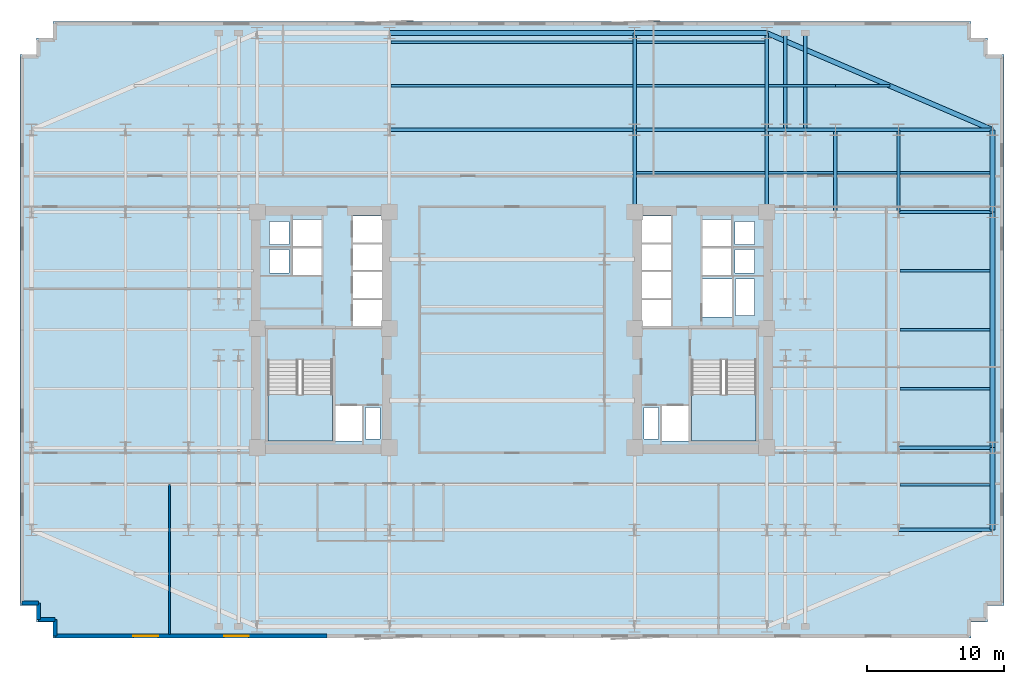
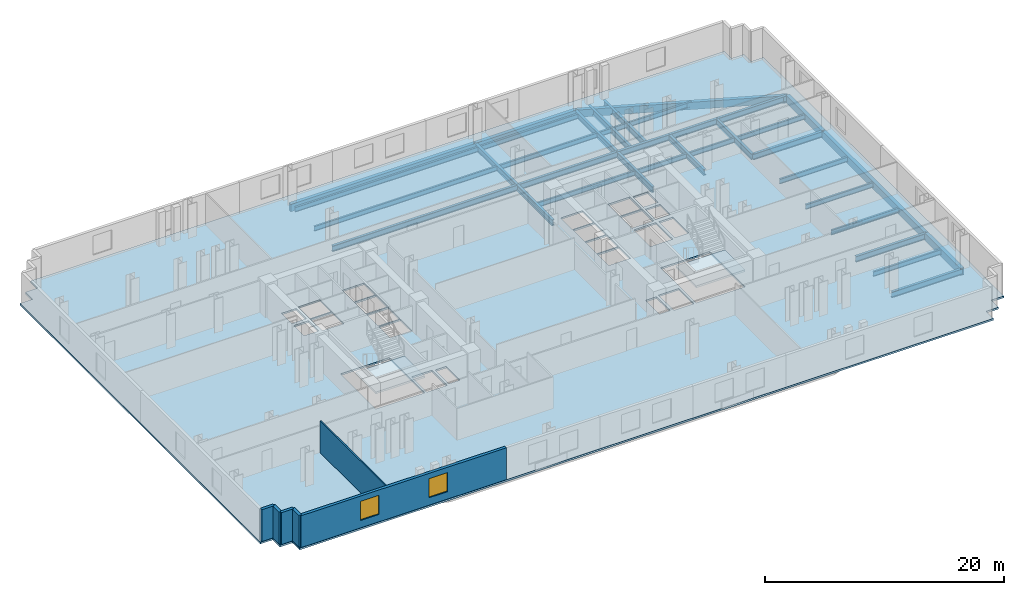
# One storey, part 3 of 10: 36 beams, 6 walls, 3 slabs, 2 windows, 2 openings, 2 elements without a shape of their own.
"""IFC4 building model written with IfcOpenShell, lengths in metres."""

from ifc_helpers import new_model, si_unit, direction, frame, frame_2d, origin, origin_2d, place, context, subcontext, project, spatial, polyline, rectangle, i_section, outline, extrude, material, layer, layer_set, material_profile, profile_set, type_object, element, fill, aggregate, save


model = new_model("IFC4")

# Units and contexts
model_context = context("Model", 3, precision=1e-05, world=origin(), true_north=direction((0.0, 1.0)))
body_context = subcontext(model_context, "Body", "Model", "MODEL_VIEW")
ifc_project = project(units=[si_unit("LENGTHUNIT", "METRE"), si_unit("AREAUNIT", "SQUARE_METRE"), si_unit("VOLUMEUNIT", "CUBIC_METRE"), si_unit("PLANEANGLEUNIT", "RADIAN"), si_unit("MASSUNIT", "GRAM", prefix="KILO")], contexts=[model_context])

# Site, building, storey
site_placement = place(None, origin())
site = spatial("IfcSite", under=ifc_project, at=site_placement, CompositionType="ELEMENT")
building_placement = place(site_placement, origin())
building = spatial("IfcBuilding", under=site, at=building_placement, Name="Velakula Bourse", CompositionType="ELEMENT")
storey_placement = place(building_placement, frame((0.0, 0.0, 34.64990234375)))
storey = spatial("IfcBuildingStorey", under=building, at=storey_placement, Name="L08", CompositionType="ELEMENT", Elevation=34.64990234375)

# Beams
ifc_material_1 = material(Name="Steel IS 2062 Grade 350 (E350)", Category="steel")
ifc_material_profile_1 = material_profile(ifc_material_1, i_section(OverallWidth=0.25, OverallDepth=0.60009765625, WebThickness=0.01171875, FlangeThickness=0.023681640625, at=origin_2d()), Name="Steel IS 2062 Grade 350 (E350)")
ifc_profile_set_1 = profile_set([ifc_material_profile_1], Name="Steel IS 2062 Grade 350 (E350)")
beam_type_1 = type_object("IfcBeamType", Name="BM-GRD-600H", PredefinedType="BEAM", material=ifc_profile_set_1)
for number, where, z_axis, x_axis, name in (
    (1, (8.949951171875, 8.60009765625, -0.47998046875), (0.0, 1.0, 0.0), (-1.0, 0.0, 0.0), "L08 Fulcrum Grid Girder FLC-ECN"),
    (2, (18.60009765625, 8.60009765625, -0.47998046875), (0.0, 1.0, 0.0), (-1.0, 0.0, 0.0), "L08 Fulcrum Grid Girder FLC-EN"),
):
    element("IfcBeam", number, at=place(storey_placement, frame(where, z_axis=z_axis, x_axis=x_axis)), inside=storey, type_object=beam_type_1, Name=name, PredefinedType="BEAM", context=body_context, shape_type="SweptSolid", body=[
        extrude(i_section(OverallWidth=0.25, OverallDepth=0.60009765625, WebThickness=0.01171875, FlangeThickness=0.023681640625, at=origin_2d()), origin(), (0.0, 0.0, 1.0), 6.0),
    ])
beam_1_placement = place(storey_placement, frame((-8.949951171875, 14.60009765625, -0.47998046875), z_axis=(1.0, 0.0, 0.0), x_axis=(0.0, 1.0, 0.0)))
element("IfcBeam", 3, at=beam_1_placement, inside=storey, type_object=beam_type_1, Name="L08 Fulcrum Grid Girder FLC-N2", PredefinedType="BEAM", context=body_context, shape_type="SweptSolid", body=[
    extrude(i_section(OverallWidth=0.25, OverallDepth=0.60009765625, WebThickness=0.01171875, FlangeThickness=0.023681640625, at=origin_2d()), origin(), (0.0, 0.0, 1.0), 17.89990234375),
])
beam_2_placement = place(storey_placement, frame((8.949951171875, 14.60009765625, -0.47998046875), z_axis=(1.0, 0.0, 0.0), x_axis=(0.0, 1.0, 0.0)))
element("IfcBeam", 4, at=beam_2_placement, inside=storey, type_object=beam_type_1, Name="L08 Fulcrum Grid Girder FLC-N3", PredefinedType="BEAM", context=body_context, shape_type="SweptSolid", body=[
    extrude(i_section(OverallWidth=0.25, OverallDepth=0.60009765625, WebThickness=0.01171875, FlangeThickness=0.023681640625, at=origin_2d()), origin(), (0.0, 0.0, 1.0), 9.650146484375),
])
beam_3_placement = place(storey_placement, frame((18.60009765625, 14.60009765625, -0.47998046875), z_axis=(1.0, 0.0, 0.0), x_axis=(0.0, 1.0, 0.0)))
element("IfcBeam", 5, at=beam_3_placement, inside=storey, type_object=beam_type_1, Name="L08 Fulcrum Grid Girder MWG-EN2", PredefinedType="BEAM", context=body_context, shape_type="SweptSolid", body=[
    extrude(i_section(OverallWidth=0.25, OverallDepth=0.60009765625, WebThickness=0.01171875, FlangeThickness=0.023681640625, at=origin_2d()), origin(), (0.0, 0.0, 1.0), 5.0),
])
beam_4_placement = place(storey_placement, frame((23.60009765625, 8.60009765625, -0.47998046875), z_axis=(0.0, 1.0, 0.0), x_axis=(-1.0, 0.0, 0.0)))
element("IfcBeam", 6, at=beam_4_placement, inside=storey, type_object=beam_type_1, Name="L08 Fulcrum Grid Girder MWG-ENS3", PredefinedType="BEAM", context=body_context, shape_type="SweptSolid", body=[
    extrude(i_section(OverallWidth=0.25, OverallDepth=0.60009765625, WebThickness=0.01171875, FlangeThickness=0.023681640625, at=origin_2d()), origin(), (0.0, 0.0, 1.0), 6.0),
])
beam_5_placement = place(storey_placement, frame((23.60009765625, 14.60009765625, -0.47998046875), z_axis=(1.0, 0.0, 0.0), x_axis=(0.0, 1.0, 0.0)))
element("IfcBeam", 7, at=beam_5_placement, inside=storey, type_object=beam_type_1, Name="L08 Fulcrum Grid Girder WNG-EN2", PredefinedType="BEAM", context=body_context, shape_type="SweptSolid", body=[
    extrude(i_section(OverallWidth=0.25, OverallDepth=0.60009765625, WebThickness=0.01171875, FlangeThickness=0.023681640625, at=origin_2d()), origin(), (0.0, 0.0, 1.0), 4.599853515625),
])
beam_6_placement = place(storey_placement, frame((28.199951171875, 8.60009765625, -0.47998046875), z_axis=(0.0, 1.0, 0.0), x_axis=(-1.0, 0.0, 0.0)))
element("IfcBeam", 8, at=beam_6_placement, inside=storey, type_object=beam_type_1, Name="L08 Fulcrum Grid Girder WNG-ENS3", PredefinedType="BEAM", context=body_context, shape_type="SweptSolid", body=[
    extrude(i_section(OverallWidth=0.25, OverallDepth=0.60009765625, WebThickness=0.01171875, FlangeThickness=0.023681640625, at=origin_2d()), origin(), (0.0, 0.0, 1.0), 6.0),
])
for number, where, z_axis, x_axis, name in (
    (9, (8.949951171875, 14.60009765625, -0.47998046875), (0.0, 1.0, 0.0), (-1.0, 0.0, 0.0), "L08 Perimeter Tie Girder N3"),
    (10, (18.60009765625, 14.60009765625, -0.47998046875), (0.0, 1.0, 0.0), (-1.0, 0.0, 0.0), "L08 Perimeter Tie Girder N4"),
):
    element("IfcBeam", number, at=place(storey_placement, frame(where, z_axis=z_axis, x_axis=x_axis)), inside=storey, type_object=beam_type_1, Name=name, PredefinedType="BEAM", context=body_context, shape_type="SweptSolid", body=[
        extrude(i_section(OverallWidth=0.25, OverallDepth=0.60009765625, WebThickness=0.01171875, FlangeThickness=0.023681640625, at=origin_2d()), origin(), (0.0, 0.0, 1.0), 7.0498046875),
    ])
for number, where, z_axis, x_axis, name in (
    (11, (28.199951171875, -14.60009765625, -0.47998046875), (1.0, 0.0, 0.0), (0.0, 1.0, 0.0), "L08 Perimeter Tie Girder E1"),
    (12, (28.199951171875, -8.60009765625, -0.47998046875), (1.0, 0.0, 0.0), (0.0, 1.0, 0.0), "L08 Perimeter Tie Girder E2"),
    (13, (28.199951171875, 8.60009765625, -0.47998046875), (1.0, 0.0, 0.0), (0.0, 1.0, 0.0), "L08 Perimeter Tie Girder E3"),
    (14, (28.199951171875, 14.60009765625, -0.47998046875), (1.0, 0.0, 0.0), (0.0, 1.0, 0.0), "L08 Perimeter Tie Girder E4"),
):
    element("IfcBeam", number, at=place(storey_placement, frame(where, z_axis=z_axis, x_axis=x_axis)), inside=storey, type_object=beam_type_1, Name=name, PredefinedType="BEAM", context=body_context, shape_type="SweptSolid", body=[
        extrude(i_section(OverallWidth=0.25, OverallDepth=0.60009765625, WebThickness=0.01171875, FlangeThickness=0.023681640625, at=origin_2d()), origin(), (0.0, 0.0, 1.0), 6.85009765625),
    ])
for number, where, z_axis, x_axis, name in (
    (15, (19.949951171875, 14.60009765625, -0.47998046875), (0.0, 1.0, 0.0), (-1.0, 0.0, 0.0), "L08 Perimeter Tie Girder P07"),
    (16, (21.39990234375, 14.60009765625, -0.47998046875), (0.0, 1.0, 0.0), (-1.0, 0.0, 0.0), "L08 Perimeter Tie Girder P08"),
):
    element("IfcBeam", number, at=place(storey_placement, frame(where, z_axis=z_axis, x_axis=x_axis)), inside=storey, type_object=beam_type_1, Name=name, PredefinedType="BEAM", context=body_context, shape_type="SweptSolid", body=[
        extrude(i_section(OverallWidth=0.25, OverallDepth=0.60009765625, WebThickness=0.01171875, FlangeThickness=0.023681640625, at=origin_2d()), origin(), (0.0, 0.0, 1.0), 7.0498046875),
    ])
ifc_material_profile_2 = material_profile(ifc_material_1, i_section(OverallWidth=0.179931640625, OverallDepth=0.5, WebThickness=0.01025390625, FlangeThickness=0.01708984375, at=origin_2d()), Name="Steel IS 2062 Grade 350 (E350)")
ifc_profile_set_2 = profile_set([ifc_material_profile_2], Name="Steel IS 2062 Grade 350 (E350)")
beam_type_2 = type_object("IfcBeamType", Name="JST-TWR-500", PredefinedType="JOIST", material=ifc_profile_set_2)
beam_7_placement = place(storey_placement, frame((28.324951171875, -11.300048828125, -0.429931640625), z_axis=(1.0, 0.0, 0.0), x_axis=(0.0, 1.0, 0.0)))
element("IfcBeam", 17, at=beam_7_placement, inside=storey, type_object=beam_type_2, Name="L08 Trading Floor Composite Joist 19", PredefinedType="JOIST", context=body_context, shape_type="SweptSolid", body=[
    extrude(i_section(OverallWidth=0.179931640625, OverallDepth=0.5, WebThickness=0.01025390625, FlangeThickness=0.01708984375, at=origin_2d()), origin(), (0.0, 0.0, 1.0), 6.550048828125),
])
beam_8_placement = place(storey_placement, frame((9.074951171875, 11.449951171875, -0.429931640625), z_axis=(1.0, 0.0, 0.0), x_axis=(0.0, 1.0, 0.0)))
element("IfcBeam", 18, at=beam_8_placement, inside=storey, type_object=beam_type_2, Name="L08 Trading Floor Composite Joist 25", PredefinedType="JOIST", context=body_context, shape_type="SweptSolid", body=[
    extrude(i_section(OverallWidth=0.179931640625, OverallDepth=0.5, WebThickness=0.01025390625, FlangeThickness=0.01708984375, at=origin_2d()), origin(), (0.0, 0.0, 1.0), 9.400146484375),
])
beam_9_placement = place(storey_placement, frame((18.72509765625, 11.449951171875, -0.429931640625), z_axis=(1.0, 0.0, 0.0), x_axis=(0.0, 1.0, 0.0)))
element("IfcBeam", 19, at=beam_9_placement, inside=storey, type_object=beam_type_2, Name="L08 Trading Floor Composite Joist 26", PredefinedType="JOIST", context=body_context, shape_type="SweptSolid", body=[
    extrude(i_section(OverallWidth=0.179931640625, OverallDepth=0.5, WebThickness=0.01025390625, FlangeThickness=0.01708984375, at=origin_2d()), origin(), (0.0, 0.0, 1.0), 4.75),
])
beam_10_placement = place(storey_placement, frame((23.72509765625, 11.449951171875, -0.429931640625), z_axis=(1.0, 0.0, 0.0), x_axis=(0.0, 1.0, 0.0)))
element("IfcBeam", 20, at=beam_10_placement, inside=storey, type_object=beam_type_2, Name="L08 Trading Floor Composite Joist 27", PredefinedType="JOIST", context=body_context, shape_type="SweptSolid", body=[
    extrude(i_section(OverallWidth=0.179931640625, OverallDepth=0.5, WebThickness=0.01025390625, FlangeThickness=0.01708984375, at=origin_2d()), origin(), (0.0, 0.0, 1.0), 4.349853515625),
])
beam_11_placement = place(storey_placement, frame((28.324951171875, 11.449951171875, -0.429931640625), z_axis=(1.0, 0.0, 0.0), x_axis=(0.0, 1.0, 0.0)))
element("IfcBeam", 21, at=beam_11_placement, inside=storey, type_object=beam_type_2, Name="L08 Trading Floor Composite Joist 28", PredefinedType="JOIST", context=body_context, shape_type="SweptSolid", body=[
    extrude(i_section(OverallWidth=0.179931640625, OverallDepth=0.5, WebThickness=0.01025390625, FlangeThickness=0.01708984375, at=origin_2d()), origin(), (0.0, 0.0, 1.0), 6.550048828125),
])
beam_12_placement = place(storey_placement, frame((-8.824951171875, 17.800048828125, -0.429931640625), z_axis=(1.0, 0.0, 0.0), x_axis=(0.0, 1.0, 0.0)))
element("IfcBeam", 22, at=beam_12_placement, inside=storey, type_object=beam_type_2, Name="L08 Trading Floor Composite Joist 32", PredefinedType="JOIST", context=body_context, shape_type="SweptSolid", body=[
    extrude(i_section(OverallWidth=0.179931640625, OverallDepth=0.5, WebThickness=0.01025390625, FlangeThickness=0.01708984375, at=origin_2d()), origin(), (0.0, 0.0, 1.0), 17.64990234375),
])
beam_13_placement = place(storey_placement, frame((9.074951171875, 17.800048828125, -0.429931640625), z_axis=(1.0, 0.0, 0.0), x_axis=(0.0, 1.0, 0.0)))
element("IfcBeam", 23, at=beam_13_placement, inside=storey, type_object=beam_type_2, Name="L08 Trading Floor Composite Joist 33", PredefinedType="JOIST", context=body_context, shape_type="SweptSolid", body=[
    extrude(i_section(OverallWidth=0.179931640625, OverallDepth=0.5, WebThickness=0.01025390625, FlangeThickness=0.01708984375, at=origin_2d()), origin(), (0.0, 0.0, 1.0), 9.400146484375),
])
beam_14_placement = place(storey_placement, frame((18.72509765625, 17.800048828125, -0.429931640625), z_axis=(1.0, 0.0, 0.0), x_axis=(0.0, 1.0, 0.0)))
element("IfcBeam", 24, at=beam_14_placement, inside=storey, type_object=beam_type_2, Name="L08 Trading Floor Composite Joist 34", PredefinedType="JOIST", context=body_context, shape_type="SweptSolid", body=[
    extrude(i_section(OverallWidth=0.179931640625, OverallDepth=0.5, WebThickness=0.01025390625, FlangeThickness=0.01708984375, at=origin_2d()), origin(), (0.0, 0.0, 1.0), 4.875),
])
beam_15_placement = place(storey_placement, frame((23.60009765625, 17.800048828125, -0.429931640625), z_axis=(1.0, 0.0, 0.0), x_axis=(0.0, 1.0, 0.0)))
element("IfcBeam", 25, at=beam_15_placement, inside=storey, type_object=beam_type_2, Name="L08 Trading Floor Composite Joist 35", PredefinedType="JOIST", context=body_context, shape_type="SweptSolid", body=[
    extrude(i_section(OverallWidth=0.179931640625, OverallDepth=0.5, WebThickness=0.01025390625, FlangeThickness=0.01708984375, at=origin_2d()), origin(), (0.0, 0.0, 1.0), 3.983154296875),
])
beam_16_placement = place(storey_placement, frame((-8.824951171875, 21.0, -0.429931640625), z_axis=(1.0, 0.0, 0.0), x_axis=(0.0, 1.0, 0.0)))
element("IfcBeam", 26, at=beam_16_placement, inside=storey, type_object=beam_type_2, Name="L08 Trading Floor Composite Joist 37", PredefinedType="JOIST", context=body_context, shape_type="SweptSolid", body=[
    extrude(i_section(OverallWidth=0.179931640625, OverallDepth=0.5, WebThickness=0.01025390625, FlangeThickness=0.01708984375, at=origin_2d()), origin(), (0.0, 0.0, 1.0), 17.64990234375),
])
beam_17_placement = place(storey_placement, frame((9.074951171875, 21.0, -0.429931640625), z_axis=(1.0, 0.0, 0.0), x_axis=(0.0, 1.0, 0.0)))
element("IfcBeam", 27, at=beam_17_placement, inside=storey, type_object=beam_type_2, Name="L08 Trading Floor Composite Joist 38", PredefinedType="JOIST", context=body_context, shape_type="SweptSolid", body=[
    extrude(i_section(OverallWidth=0.179931640625, OverallDepth=0.5, WebThickness=0.01025390625, FlangeThickness=0.01708984375, at=origin_2d()), origin(), (0.0, 0.0, 1.0), 9.400146484375),
])
for number, where, z_axis, x_axis, name in (
    (28, (28.324951171875, -4.300048828125, -0.429931640625), (1.0, 0.0, 0.0), (0.0, 1.0, 0.0), "L08 Trading Floor Composite Joist 46"),
    (29, (28.324951171875, 0.0, -0.429931640625), (1.0, 0.0, 0.0), (0.0, 1.0, 0.0), "L08 Trading Floor Composite Joist 52"),
    (30, (28.324951171875, 4.300048828125, -0.429931640625), (1.0, 0.0, 0.0), (0.0, 1.0, 0.0), "L08 Trading Floor Composite Joist 58"),
):
    element("IfcBeam", number, at=place(storey_placement, frame(where, z_axis=z_axis, x_axis=x_axis)), inside=storey, type_object=beam_type_2, Name=name, PredefinedType="JOIST", context=body_context, shape_type="SweptSolid", body=[
        extrude(i_section(OverallWidth=0.179931640625, OverallDepth=0.5, WebThickness=0.01025390625, FlangeThickness=0.01708984375, at=origin_2d()), origin(), (0.0, 0.0, 1.0), 6.550048828125),
    ])
ifc_material_2 = material(Name="Precast concrete M45 (fck 45 MPa)", Category="concrete")
ifc_material_profile_3 = material_profile(ifc_material_2, rectangle(XDim=0.35009765625, YDim=0.75, at=origin_2d()), Name="Precast concrete M45 (fck 45 MPa)")
ifc_profile_set_3 = profile_set([ifc_material_profile_3], Name="Precast concrete M45 (fck 45 MPa)")
beam_type_3 = type_object("IfcBeamType", Name="SPN-BRICK-750", PredefinedType="SPANDREL", material=ifc_profile_set_3)
beam_18_placement = place(storey_placement, frame((-8.949951171875, 21.64990234375, -0.554931640625), z_axis=(1.0, 0.0, 0.0), x_axis=(0.0, 1.0, 0.0)))
element("IfcBeam", 31, at=beam_18_placement, inside=storey, type_object=beam_type_3, Name="L08 Brick-Faced Precast Spandrel N2-N3", PredefinedType="SPANDREL", context=body_context, shape_type="SweptSolid", body=[
    extrude(rectangle(XDim=0.35009765625, YDim=0.75, at=origin_2d()), origin(), (0.0, 0.0, 1.0), 17.89990234375),
])
beam_19_placement = place(storey_placement, frame((8.949951171875, 21.64990234375, -0.554931640625), z_axis=(1.0, 0.0, 0.0), x_axis=(0.0, 1.0, 0.0)))
element("IfcBeam", 32, at=beam_19_placement, inside=storey, type_object=beam_type_3, Name="L08 Brick-Faced Precast Spandrel N3-N4", PredefinedType="SPANDREL", context=body_context, shape_type="SweptSolid", body=[
    extrude(rectangle(XDim=0.35009765625, YDim=0.75, at=origin_2d()), origin(), (0.0, 0.0, 1.0), 9.650146484375),
])
beam_20_placement = place(storey_placement, frame((35.050048828125, -14.60009765625, -0.554931640625), z_axis=(0.0, 1.0, 0.0), x_axis=(-1.0, 0.0, 0.0)))
element("IfcBeam", 33, at=beam_20_placement, inside=storey, type_object=beam_type_3, Name="L08 Brick-Faced Precast Spandrel E1-E2", PredefinedType="SPANDREL", context=body_context, shape_type="SweptSolid", body=[
    extrude(rectangle(XDim=0.35009765625, YDim=0.75, at=origin_2d()), origin(), (0.0, 0.0, 1.0), 6.0),
])
beam_21_placement = place(storey_placement, frame((35.050048828125, -8.60009765625, -0.554931640625), z_axis=(0.0, 1.0, 0.0), x_axis=(-1.0, 0.0, 0.0)))
element("IfcBeam", 34, at=beam_21_placement, inside=storey, type_object=beam_type_3, Name="L08 Brick-Faced Precast Spandrel E2-E3", PredefinedType="SPANDREL", context=body_context, shape_type="SweptSolid", body=[
    extrude(rectangle(XDim=0.35009765625, YDim=0.75, at=origin_2d()), origin(), (0.0, 0.0, 1.0), 17.2001953125),
])
beam_22_placement = place(storey_placement, frame((35.050048828125, 8.60009765625, -0.554931640625), z_axis=(0.0, 1.0, 0.0), x_axis=(-1.0, 0.0, 0.0)))
element("IfcBeam", 35, at=beam_22_placement, inside=storey, type_object=beam_type_3, Name="L08 Brick-Faced Precast Spandrel E3-E4", PredefinedType="SPANDREL", context=body_context, shape_type="SweptSolid", body=[
    extrude(rectangle(XDim=0.35009765625, YDim=0.75, at=origin_2d()), origin(), (0.0, 0.0, 1.0), 6.0),
])
beam_23_placement = place(storey_placement, frame((35.050048828125, 14.60009765625, -0.554931640625), z_axis=(-0.919148557947, 0.393911066642, 0.0), x_axis=(-0.393911066642, -0.919148557947, 0.0)))
element("IfcBeam", 36, at=beam_23_placement, inside=storey, type_object=beam_type_3, Name="L08 Brick-Faced Precast Spandrel E4-N4", PredefinedType="SPANDREL", context=body_context, shape_type="SweptSolid", body=[
    extrude(rectangle(XDim=0.35009765625, YDim=0.75, at=origin_2d()), origin(), (0.0, 0.0, 1.0), 17.89697265625),
])

# Stair, slab
ifc_material_3 = material(Name="Concrete M45 (fck 45 MPa)", Category="concrete")
stair_type = type_object("IfcStairType", Name="STR-DOG-390", PredefinedType="HALF_TURN_STAIR", material=ifc_material_3)
stair_1_placement = place(storey_placement, origin())
stair_1 = element("IfcStair", 37, at=stair_1_placement, inside=storey, type_object=stair_type, Name="L08 West Core Exit Stair ST-W1", PredefinedType="HALF_TURN_STAIR")
ifc_layer_1 = layer(ifc_material_3, 0.199951171875, Name="Concrete M45 (fck 45 MPa)", Category="concrete")
ifc_layer_set_1 = layer_set([ifc_layer_1], Name="Concrete M45 (fck 45 MPa)")
slab_type_1 = type_object("IfcSlabType", Name="SLB-STAIR-LND-200", PredefinedType="LANDING", material=ifc_layer_set_1)
slab_1_placement = place(storey_placement, frame((0.0, 0.0, 1.525146484375)))
slab_1 = element("IfcSlab", 38, at=slab_1_placement, type_object=slab_type_1, Name="ST-W1 landing 1", PredefinedType="LANDING", context=body_context, shape_type="SweptSolid", body=[
    extrude(outline(polyline([(-17.820068359375, -4.719970703125), (-17.820068359375, -8.10009765625), (-13.10009765625, -8.10009765625), (-13.10009765625, -4.719970703125), (-17.820068359375, -4.719970703125)])), origin(), (0.0, 0.0, 1.0), 0.199951171875),
])
aggregate(stair_1, [slab_1])

stair_2_placement = place(storey_placement, origin())
stair_2 = element("IfcStair", 39, at=stair_2_placement, inside=storey, type_object=stair_type, Name="L08 East Core Exit Stair ST-E1", PredefinedType="HALF_TURN_STAIR")
slab_2_placement = place(storey_placement, frame((0.0, 0.0, 1.525146484375)))
slab_2 = element("IfcSlab", 40, at=slab_2_placement, type_object=slab_type_1, Name="ST-E1 landing 1", PredefinedType="LANDING", context=body_context, shape_type="SweptSolid", body=[
    extrude(outline(polyline([(13.10009765625, -4.719970703125), (13.10009765625, -8.10009765625), (17.820068359375, -8.10009765625), (17.820068359375, -4.719970703125), (13.10009765625, -4.719970703125)])), origin(), (0.0, 0.0, 1.0), 0.199951171875),
])
aggregate(stair_2, [slab_2])

# Slab
ifc_material_4 = material(Name="Concrete M50 (fck 50 MPa)", Category="concrete")
ifc_layer_2 = layer(ifc_material_4, 0.179931640625, Name="Concrete M50 (fck 50 MPa)", Category="concrete")
ifc_layer_set_2 = layer_set([ifc_layer_2], Name="Concrete M50 (fck 50 MPa)")
slab_type_2 = type_object("IfcSlabType", Name="SLB-TWR-180", PredefinedType="FLOOR", material=ifc_layer_set_2)
slab_3_placement = place(storey_placement, frame((0.0, 0.0, -0.179931640625)))
element("IfcSlab", 41, at=slab_3_placement, inside=storey, type_object=slab_type_2, Name="L08 Suspended Structural Floor Slab", PredefinedType="FLOOR", context=body_context, shape_type="SweptSolid", body=[
    extrude(outline(polyline([(-33.5, -22.5), (33.5, -22.5), (33.5, -21.300048828125), (34.699951171875, -21.300048828125), (34.699951171875, -20.10009765625), (35.89990234375, -20.10009765625), (35.89990234375, 20.10009765625), (34.699951171875, 20.10009765625), (34.699951171875, 21.300048828125), (33.5, 21.300048828125), (33.5, 22.5), (-33.5, 22.5), (-33.5, 21.300048828125), (-34.699951171875, 21.300048828125), (-34.699951171875, 20.10009765625), (-35.89990234375, 20.10009765625), (-35.89990234375, -20.10009765625), (-34.699951171875, -20.10009765625), (-34.699951171875, -21.300048828125), (-33.5, -21.300048828125), (-33.5, -22.5)]), holes=[polyline([(-17.820068359375, -8.10009765625), (-13.10009765625, -8.10009765625), (-13.10009765625, -2.199951171875), (-17.820068359375, -2.199951171875), (-17.820068359375, -8.10009765625)]), polyline([(13.10009765625, -8.10009765625), (17.820068359375, -8.10009765625), (17.820068359375, -2.199951171875), (13.10009765625, -2.199951171875), (13.10009765625, -8.10009765625)]), polyline([(-12.89990234375, -8.10009765625), (-10.949951171875, -8.10009765625), (-10.949951171875, -5.550048828125), (-12.89990234375, -5.550048828125), (-12.89990234375, -8.10009765625)]), polyline([(10.949951171875, -8.10009765625), (12.89990234375, -8.10009765625), (12.89990234375, -5.550048828125), (10.949951171875, -5.550048828125), (10.949951171875, -8.10009765625)]), polyline([(13.89990234375, 0.919921875), (16.050048828125, 0.919921875), (16.050048828125, 3.719970703125), (13.89990234375, 3.719970703125), (13.89990234375, 0.919921875)]), polyline([(-10.679931640625, -7.97998046875), (-9.6201171875, -7.97998046875), (-9.6201171875, -5.669921875), (-10.679931640625, -5.669921875), (-10.679931640625, -7.97998046875)]), polyline([(-17.679931640625, 4.139892578125), (-16.27001953125, 4.139892578125), (-16.27001953125, 5.85009765625), (-17.679931640625, 5.85009765625), (-17.679931640625, 4.139892578125)]), polyline([(-17.679931640625, 6.2099609375), (-16.27001953125, 6.2099609375), (-16.27001953125, 7.919921875), (-17.679931640625, 7.919921875), (-17.679931640625, 6.2099609375)]), polyline([(9.6201171875, -7.97998046875), (10.679931640625, -7.97998046875), (10.679931640625, -5.669921875), (9.6201171875, -5.669921875), (9.6201171875, -7.97998046875)]), polyline([(16.27001953125, 4.139892578125), (17.679931640625, 4.139892578125), (17.679931640625, 5.85009765625), (16.27001953125, 5.85009765625), (16.27001953125, 4.139892578125)]), polyline([(16.27001953125, 6.2099609375), (17.679931640625, 6.2099609375), (17.679931640625, 7.919921875), (16.27001953125, 7.919921875), (16.27001953125, 6.2099609375)]), polyline([(16.320068359375, 1.0400390625), (17.679931640625, 1.0400390625), (17.679931640625, 3.699951171875), (16.320068359375, 3.699951171875), (16.320068359375, 1.0400390625)]), polyline([(-11.60009765625, 0.280029296875), (-9.5, 0.280029296875), (-9.5, 2.199951171875), (-11.60009765625, 2.199951171875), (-11.60009765625, 0.280029296875)]), polyline([(-11.60009765625, 2.31005859375), (-9.5, 2.31005859375), (-9.5, 4.22998046875), (-11.60009765625, 4.22998046875), (-11.60009765625, 2.31005859375)]), polyline([(-11.60009765625, 4.340087890625), (-9.5, 4.340087890625), (-9.5, 6.260009765625), (-11.60009765625, 6.260009765625), (-11.60009765625, 4.340087890625)]), polyline([(-11.60009765625, 6.3701171875), (-9.5, 6.3701171875), (-9.5, 8.2900390625), (-11.60009765625, 8.2900390625), (-11.60009765625, 6.3701171875)]), polyline([(9.5, 0.280029296875), (11.60009765625, 0.280029296875), (11.60009765625, 2.199951171875), (9.5, 2.199951171875), (9.5, 0.280029296875)]), polyline([(9.5, 2.31005859375), (11.60009765625, 2.31005859375), (11.60009765625, 4.22998046875), (9.5, 4.22998046875), (9.5, 2.31005859375)]), polyline([(9.5, 4.340087890625), (11.60009765625, 4.340087890625), (11.60009765625, 6.260009765625), (9.5, 6.260009765625), (9.5, 4.340087890625)]), polyline([(9.5, 6.3701171875), (11.60009765625, 6.3701171875), (11.60009765625, 8.2900390625), (9.5, 8.2900390625), (9.5, 6.3701171875)]), polyline([(-16.0, 4.02001953125), (-13.89990234375, 4.02001953125), (-13.89990234375, 5.969970703125), (-16.0, 5.969970703125), (-16.0, 4.02001953125)]), polyline([(-16.0, 6.090087890625), (-13.89990234375, 6.090087890625), (-13.89990234375, 8.0400390625), (-16.0, 8.0400390625), (-16.0, 6.090087890625)]), polyline([(13.89990234375, 4.02001953125), (16.0, 4.02001953125), (16.0, 5.969970703125), (13.89990234375, 5.969970703125), (13.89990234375, 4.02001953125)]), polyline([(13.89990234375, 6.090087890625), (16.0, 6.090087890625), (16.0, 8.0400390625), (13.89990234375, 8.0400390625), (13.89990234375, 6.090087890625)])]), origin(), (0.0, 0.0, 1.0), 0.179931640625),
])

# Wall, openings, windows
ifc_material_5 = material(Name="Red kilned clay facing brick masonry", Category="masonry")
ifc_layer_3 = layer(ifc_material_5, 0.280029296875, Name="Red kilned clay facing brick masonry", Category="masonry")
ifc_layer_set_3 = layer_set([ifc_layer_3], Name="Red kilned clay facing brick masonry")
wall_type_1 = type_object("IfcWallType", Name="WL-EXT-BRK-280", PredefinedType="STANDARD", material=ifc_layer_set_3)
wall_1_placement = place(storey_placement, frame((-13.5, -22.340087890625, 0.0), z_axis=(0.0, 0.0, 1.0), x_axis=(-1.0, 0.0, 0.0)))
wall_1 = element("IfcWall", 42, at=wall_1_placement, inside=storey, type_object=wall_type_1, Name="L08 S Brick Spandrel Wall B1", PredefinedType="STANDARD", context=body_context, shape_type="SweptSolid", body=[
    extrude(rectangle(XDim=19.840087890625, YDim=0.280029296875, at=frame_2d((9.919921875, 0.0))), origin(), (0.0, 0.0, 1.0), 3.25),
])
opening_1_placement = place(wall_1_placement, frame((5.71337890625, 0.0, 0.760009765625)))
opening_1 = element("IfcOpeningElement", 43, at=opening_1_placement, cuts=wall_1, Name="Opening W-01", PredefinedType="OPENING", context=body_context, shape_type="SweptSolid", body=[
    extrude(rectangle(XDim=1.800048828125, YDim=1.949951171875, at=frame_2d((0.89990234375, 0.97509765625))), frame((0.0, 0.14990234375, 0.0), z_axis=(0.0, -1.0, 0.0), x_axis=(1.0, 0.0, 0.0)), (0.0, 0.0, 1.0), 0.300048828125),
])
opening_2_placement = place(wall_1_placement, frame((12.32666015625, 0.0, 0.760009765625)))
opening_2 = element("IfcOpeningElement", 44, at=opening_2_placement, cuts=wall_1, Name="Opening W-01", PredefinedType="OPENING", context=body_context, shape_type="SweptSolid", body=[
    extrude(rectangle(XDim=1.800048828125, YDim=1.949951171875, at=frame_2d((0.89990234375, 0.97509765625))), frame((0.0, 0.14990234375, 0.0), z_axis=(0.0, -1.0, 0.0), x_axis=(1.0, 0.0, 0.0)), (0.0, 0.0, 1.0), 0.300048828125),
])
ifc_material_6 = material(Name="Double-glazed solar-control Low-E glass", Category="glass")
window_type = type_object("IfcWindowType", Name="WIN-TWR-1800x2100", PartitioningType="SINGLE_PANEL", PredefinedType="WINDOW", material=ifc_material_6)
window_1_placement = place(opening_1_placement, origin())
window_1 = element("IfcWindow", 45, at=window_1_placement, inside=storey, type_object=window_type, Name="L08 Deep-Set Recessed Window 1", OverallHeight=1.949951171875, OverallWidth=1.800048828125, PartitioningType="SINGLE_PANEL", PredefinedType="WINDOW", context=body_context, shape_type="SweptSolid", body=[
    extrude(rectangle(XDim=1.800048828125, YDim=1.949951171875, at=frame_2d((0.89990234375, 0.97509765625))), frame((0.0, 0.030029296875, 0.0), z_axis=(0.0, -1.0, 0.0), x_axis=(1.0, 0.0, 0.0)), (0.0, 0.0, 1.0), 0.06005859375),
])
fill(opening_1, window_1)
window_2_placement = place(opening_2_placement, origin())
window_2 = element("IfcWindow", 46, at=window_2_placement, inside=storey, type_object=window_type, Name="L08 Deep-Set Recessed Window 2", OverallHeight=1.949951171875, OverallWidth=1.800048828125, PartitioningType="SINGLE_PANEL", PredefinedType="WINDOW", context=body_context, shape_type="SweptSolid", body=[
    extrude(rectangle(XDim=1.800048828125, YDim=1.949951171875, at=frame_2d((0.89990234375, 0.97509765625))), frame((0.0, 0.030029296875, 0.0), z_axis=(0.0, -1.0, 0.0), x_axis=(1.0, 0.0, 0.0)), (0.0, 0.0, 1.0), 0.06005859375),
])
fill(opening_2, window_2)

# Walls
for number, where, z_axis, x_axis, name in (
    (47, (-35.739990234375, -19.93994140625, 0.0), (0.0, 0.0, 1.0), (1.0, 0.0, 0.0), "L08 Serrated Corner Brick Wall SW-1"),
    (48, (-34.5400390625, -19.93994140625, 0.0), (0.0, 0.0, 1.0), (0.0, -1.0, 0.0), "L08 Serrated Corner Brick Wall SW-2"),
    (49, (-34.5400390625, -21.139892578125, 0.0), (0.0, 0.0, 1.0), (1.0, 0.0, 0.0), "L08 Serrated Corner Brick Wall SW-3"),
):
    element("IfcWall", number, at=place(storey_placement, frame(where, z_axis=z_axis, x_axis=x_axis)), inside=storey, type_object=wall_type_1, Name=name, PredefinedType="STANDARD", context=body_context, shape_type="SweptSolid", body=[
        extrude(rectangle(XDim=1.199951171875, YDim=0.280029296875, at=frame_2d((0.60009765625, 0.0))), origin(), (0.0, 0.0, 1.0), 3.25),
    ])
wall_2_placement = place(storey_placement, frame((-33.340087890625, -21.139892578125, 0.0), z_axis=(0.0, 0.0, 1.0), x_axis=(0.0, -1.0, 0.0)))
element("IfcWall", 50, at=wall_2_placement, inside=storey, type_object=wall_type_1, Name="L08 Serrated Corner Brick Wall SW-4", PredefinedType="STANDARD", context=body_context, shape_type="SweptSolid", body=[
    extrude(rectangle(XDim=1.2001953125, YDim=0.280029296875, at=frame_2d((0.60009765625, 0.0))), origin(), (0.0, 0.0, 1.0), 3.25),
])
ifc_material_7 = material(Name="Fire-rated double-layer gypsum drywall partition", Category="gypsum")
ifc_layer_4 = layer(ifc_material_7, 0.1201171875, Name="Fire-rated double-layer gypsum drywall partition", Category="gypsum")
ifc_layer_set_4 = layer_set([ifc_layer_4], Name="Fire-rated double-layer gypsum drywall partition")
wall_type_2 = type_object("IfcWallType", Name="WL-PART-120", PredefinedType="STANDARD", material=ifc_layer_set_4)
wall_3_placement = place(storey_placement, frame((-24.987060546875, -22.219970703125, 0.0), z_axis=(0.0, 0.0, 1.0), x_axis=(0.0, 1.0, 0.0)))
element("IfcWall", 51, at=wall_3_placement, inside=storey, type_object=wall_type_2, Name="L08 Interior Partition WL-INT-L08-SL-D5", PredefinedType="STANDARD", context=body_context, shape_type="SweptSolid", body=[
    extrude(rectangle(XDim=10.929931640625, YDim=0.1201171875, at=frame_2d((5.46484375, 0.0))), origin(), (0.0, 0.0, 1.0), 3.25),
])

save(model, "model.ifc")
